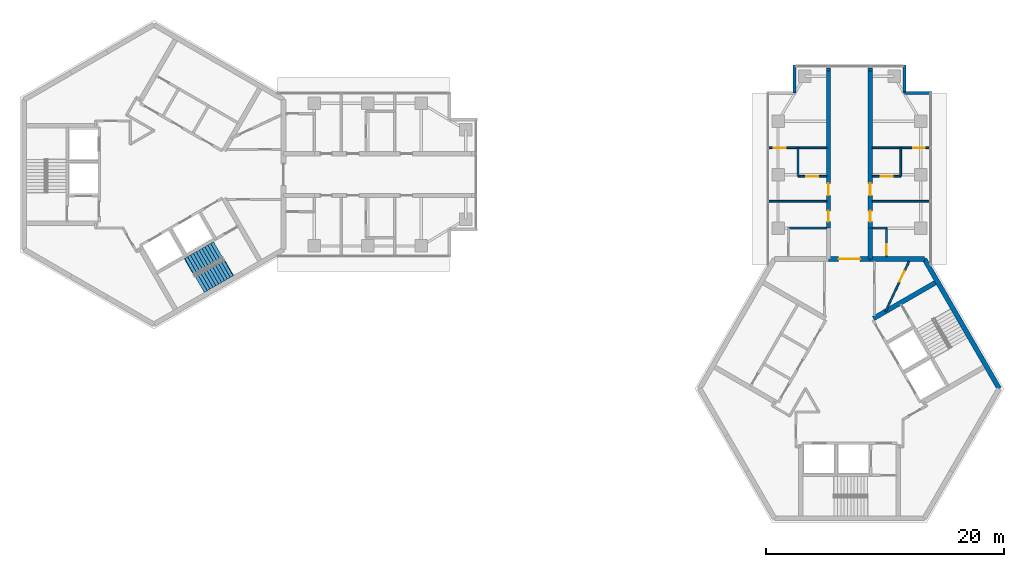
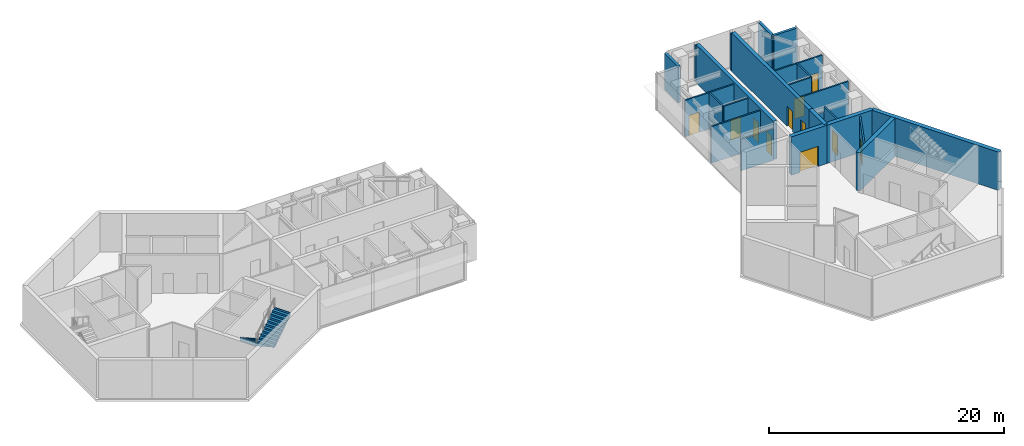
# One storey, part 9 of 11: 24 walls, 11 doors, 2 stair flights, 11 openings, 1 element without a shape of its own.
"""IFC4 building model written with IfcOpenShell, lengths in metres."""

from ifc_helpers import new_model, si_unit, direction, frame, frame_2d, origin, place, context, subcontext, project, spatial, polyline, rectangle, outline, extrude, material, layer, layer_set, type_object, element, fill, aggregate, save


model = new_model("IFC4")

# Units and contexts
model_context = context("Model", 3, precision=1e-05, world=origin(), true_north=direction((0.0, 1.0)))
body_context = subcontext(model_context, "Body", "Model", "MODEL_VIEW")
ifc_project = project(units=[si_unit("LENGTHUNIT", "METRE"), si_unit("AREAUNIT", "SQUARE_METRE"), si_unit("VOLUMEUNIT", "CUBIC_METRE"), si_unit("PLANEANGLEUNIT", "RADIAN"), si_unit("MASSUNIT", "GRAM", prefix="KILO")], contexts=[model_context])

# Site, building, storey
site_placement = place(None, origin())
site = spatial("IfcSite", under=ifc_project, at=site_placement, CompositionType="ELEMENT")
building_placement = place(site_placement, origin())
building = spatial("IfcBuilding", under=site, at=building_placement, Name="Upepo Twin Towers", CompositionType="ELEMENT")
storey_placement = place(building_placement, frame((0.0, 0.0, 259.5)))
storey = spatial("IfcBuildingStorey", under=building, at=storey_placement, Name="L63", CompositionType="ELEMENT", Elevation=259.5)

# Walls
ifc_material_1 = material(Name="Dense concrete blockwork", Category="masonry")
ifc_layer_1 = layer(ifc_material_1, 0.35009765625)
ifc_layer_set_1 = layer_set([ifc_layer_1], Name="Buttress closer 350, blockwork with fire-stopping to the curtain wall")
wall_type_1 = type_object("IfcWallType", Name="Buttress closer 350, blockwork with fire-stopping to the curtain wall", PredefinedType="PARTITIONING", material=ifc_layer_set_1)
for number, where, z_axis, x_axis, name in (
    (1, (56.75, 8.699951171875, 0.0), (0.0, 0.0, 1.0), (0.0, 1.0, 0.0), "T2 L63 wing A buttress closer L"),
    (2, (60.25, 8.699951171875, 0.0), (0.0, 0.0, 1.0), (0.0, 1.0, 0.0), "T2 L63 wing A buttress closer R"),
):
    element("IfcWall", number, at=place(storey_placement, frame(where, z_axis=z_axis, x_axis=x_axis)), inside=storey, type_object=wall_type_1, Name=name, PredefinedType="PARTITIONING", context=body_context, shape_type="SweptSolid", body=[
        extrude(rectangle(XDim=0.275146484375, YDim=0.35009765625, at=frame_2d((0.1376953125, 0.0))), origin(), (0.0, 0.0, 1.0), 3.800048828125),
    ])

# Wall, openings, doors
ifc_material_2 = material(Name="Concrete C60/75", Category="concrete")
ifc_layer_2 = layer(ifc_material_2, 0.35009765625)
ifc_layer_set_2 = layer_set([ifc_layer_2], Name="Concrete C60/75")
wall_type_2 = type_object("IfcWallType", Name="Buttress wall 350 RC", PredefinedType="SHEAR", material=ifc_layer_set_2)
wall_1_placement = place(storey_placement, frame((56.75, -4.5, 0.0), z_axis=(0.0, 0.0, 1.0), x_axis=(0.0, 1.0, 0.0)))
wall_1 = element("IfcWall", 3, at=wall_1_placement, inside=storey, type_object=wall_type_2, Name="T2 wing A buttress wall L part 2", PredefinedType="SHEAR", context=body_context, shape_type="SweptSolid", body=[
    extrude(rectangle(XDim=13.199951171875, YDim=0.35009765625, at=frame_2d((6.60009765625, 0.0))), origin(), (0.0, 0.0, 1.0), 4.0),
])
opening_1_placement = place(wall_1_placement, frame((0.550048828125, 0.0, 0.0)))
opening_1 = element("IfcOpeningElement", 4, at=opening_1_placement, cuts=wall_1, Name="Opening D11", PredefinedType="OPENING", context=body_context, shape_type="SweptSolid", body=[
    extrude(rectangle(XDim=0.89990234375, YDim=2.10009765625, at=frame_2d((0.449951171875, 1.050048828125))), frame((0.0, 0.18505859375, 0.0), z_axis=(0.0, -1.0, 0.0), x_axis=(1.0, 0.0, 0.0)), (0.0, 0.0, 1.0), 0.3701171875),
])
opening_2_placement = place(wall_1_placement, frame((2.75, 0.0, 0.0)))
opening_2 = element("IfcOpeningElement", 5, at=opening_2_placement, cuts=wall_1, Name="Opening D1", PredefinedType="OPENING", context=body_context, shape_type="SweptSolid", body=[
    extrude(rectangle(XDim=1.0, YDim=2.10009765625, at=frame_2d((0.5, 1.050048828125))), frame((0.0, 0.18505859375, 0.0), z_axis=(0.0, -1.0, 0.0), x_axis=(1.0, 0.0, 0.0)), (0.0, 0.0, 1.0), 0.3701171875),
])
ifc_material_3 = material(Name="Timber doorset", Category="wood")
door_type_1 = type_object("IfcDoorType", Name="Room door 1000 FD30", OperationType="SINGLE_SWING_LEFT", PredefinedType="DOOR", material=ifc_material_3)
door_1_placement = place(opening_2_placement, origin())
door_1 = element("IfcDoor", 6, at=door_1_placement, inside=storey, type_object=door_type_1, Name="T2 L63 tutorial room door", OperationType="SINGLE_SWING_LEFT", OverallHeight=2.10009765625, OverallWidth=1.0, PredefinedType="DOOR", context=body_context, shape_type="SweptSolid", body=[
    extrude(rectangle(XDim=1.0, YDim=2.10009765625, at=frame_2d((0.5, 1.050048828125))), frame((0.0, 0.02490234375, 0.0), z_axis=(0.0, -1.0, 0.0), x_axis=(1.0, 0.0, 0.0)), (0.0, 0.0, 1.0), 0.050048828125),
])
fill(opening_2, door_1)
ifc_material_4 = material(Name="Timber doorset", Category="wood")
door_type_2 = type_object("IfcDoorType", Name="Toilet door 900", OperationType="SINGLE_SWING_LEFT", PredefinedType="DOOR", material=ifc_material_4)
door_2_placement = place(opening_1_placement, origin())
door_2 = element("IfcDoor", 7, at=door_2_placement, inside=storey, type_object=door_type_2, Name="T2 L63 accessible wc door", OperationType="SINGLE_SWING_LEFT", OverallHeight=2.10009765625, OverallWidth=0.89990234375, PredefinedType="DOOR", context=body_context, shape_type="SweptSolid", body=[
    extrude(rectangle(XDim=0.89990234375, YDim=2.10009765625, at=frame_2d((0.449951171875, 1.050048828125))), frame((0.0, 0.02490234375, 0.0), z_axis=(0.0, -1.0, 0.0), x_axis=(1.0, 0.0, 0.0)), (0.0, 0.0, 1.0), 0.050048828125),
])
fill(opening_1, door_2)

# Wall
wall_2_placement = place(storey_placement, frame((60.25, -7.091552734375, 0.0), z_axis=(0.0, 0.0, 1.0), x_axis=(0.0, 1.0, 0.0)))
element("IfcWall", 8, at=wall_2_placement, inside=storey, type_object=wall_type_2, Name="T2 wing A buttress wall R", PredefinedType="SHEAR", context=body_context, shape_type="SweptSolid", body=[
    extrude(rectangle(XDim=2.591552734375, YDim=0.35009765625, at=frame_2d((1.2958984375, 0.0))), origin(), (0.0, 0.0, 1.0), 4.0),
])

# Wall, openings, doors
wall_3_placement = place(storey_placement, frame((60.25, -4.5, 0.0), z_axis=(0.0, 0.0, 1.0), x_axis=(0.0, 1.0, 0.0)))
wall_3 = element("IfcWall", 9, at=wall_3_placement, inside=storey, type_object=wall_type_2, Name="T2 wing A buttress wall R part 2", PredefinedType="SHEAR", context=body_context, shape_type="SweptSolid", body=[
    extrude(rectangle(XDim=13.199951171875, YDim=0.35009765625, at=frame_2d((6.60009765625, 0.0))), origin(), (0.0, 0.0, 1.0), 4.0),
])
opening_3_placement = place(wall_3_placement, frame((0.550048828125, 0.0, 0.0)))
opening_3 = element("IfcOpeningElement", 10, at=opening_3_placement, cuts=wall_3, Name="Opening D11", PredefinedType="OPENING", context=body_context, shape_type="SweptSolid", body=[
    extrude(rectangle(XDim=0.89990234375, YDim=2.10009765625, at=frame_2d((0.449951171875, 1.050048828125))), frame((0.0, 0.18505859375, 0.0), z_axis=(0.0, -1.0, 0.0), x_axis=(1.0, 0.0, 0.0)), (0.0, 0.0, 1.0), 0.3701171875),
])
opening_4_placement = place(wall_3_placement, frame((2.75, 0.0, 0.0)))
opening_4 = element("IfcOpeningElement", 11, at=opening_4_placement, cuts=wall_3, Name="Opening D1", PredefinedType="OPENING", context=body_context, shape_type="SweptSolid", body=[
    extrude(rectangle(XDim=1.0, YDim=2.10009765625, at=frame_2d((0.5, 1.050048828125))), frame((0.0, 0.18505859375, 0.0), z_axis=(0.0, -1.0, 0.0), x_axis=(1.0, 0.0, 0.0)), (0.0, 0.0, 1.0), 0.3701171875),
])
door_3_placement = place(opening_4_placement, origin())
door_3 = element("IfcDoor", 12, at=door_3_placement, inside=storey, type_object=door_type_1, Name="T2 L63 seminar room door", OperationType="SINGLE_SWING_LEFT", OverallHeight=2.10009765625, OverallWidth=1.0, PredefinedType="DOOR", context=body_context, shape_type="SweptSolid", body=[
    extrude(rectangle(XDim=1.0, YDim=2.10009765625, at=frame_2d((0.5, 1.050048828125))), frame((0.0, 0.02490234375, 0.0), z_axis=(0.0, -1.0, 0.0), x_axis=(1.0, 0.0, 0.0)), (0.0, 0.0, 1.0), 0.050048828125),
])
fill(opening_4, door_3)
door_4_placement = place(opening_3_placement, origin())
door_4 = element("IfcDoor", 13, at=door_4_placement, inside=storey, type_object=door_type_2, Name="T2 L63 toilets door", OperationType="SINGLE_SWING_LEFT", OverallHeight=2.10009765625, OverallWidth=0.89990234375, PredefinedType="DOOR", context=body_context, shape_type="SweptSolid", body=[
    extrude(rectangle(XDim=0.89990234375, YDim=2.10009765625, at=frame_2d((0.449951171875, 1.050048828125))), frame((0.0, 0.02490234375, 0.0), z_axis=(0.0, -1.0, 0.0), x_axis=(1.0, 0.0, 0.0)), (0.0, 0.0, 1.0), 0.050048828125),
])
fill(opening_3, door_4)

# Wall
ifc_material_5 = material(Name="Concrete C60/75", Category="concrete")
ifc_layer_3 = layer(ifc_material_5, 0.39990234375)
ifc_layer_set_3 = layer_set([ifc_layer_3], Name="Concrete C60/75")
wall_type_3 = type_object("IfcWallType", Name="Core wall 400 RC", PredefinedType="SHEAR", material=ifc_layer_set_3)
wall_4_placement = place(storey_placement, frame((64.7978515625, -7.091552734375, 0.0), z_axis=(0.0, 0.0, 1.0), x_axis=(-1.0, 0.0, 0.0)))
element("IfcWall", 14, at=wall_4_placement, inside=storey, type_object=wall_type_3, Name="T2 core wall 000 R", PredefinedType="SHEAR", context=body_context, shape_type="SweptSolid", body=[
    extrude(rectangle(XDim=4.5478515625, YDim=0.39990234375, at=frame_2d((2.27392578125, 0.0))), origin(), (0.0, 0.0, 1.0), 4.0),
])

# Wall, opening, door
wall_5_placement = place(storey_placement, frame((60.25, -7.091552734375, 0.0), z_axis=(0.0, 0.0, 1.0), x_axis=(-1.0, 0.0, 0.0)))
wall_5 = element("IfcWall", 15, at=wall_5_placement, inside=storey, type_object=wall_type_3, Name="T2 core wall 000", PredefinedType="SHEAR", context=body_context, shape_type="SweptSolid", body=[
    extrude(rectangle(XDim=3.5, YDim=0.39990234375, at=frame_2d((1.75, 0.0))), origin(), (0.0, 0.0, 1.0), 4.0),
])
opening_5_placement = place(wall_5_placement, frame((0.85009765625, 0.0, 0.0)))
opening_5 = element("IfcOpeningElement", 16, at=opening_5_placement, cuts=wall_5, Name="Opening D2", PredefinedType="OPENING", context=body_context, shape_type="SweptSolid", body=[
    extrude(rectangle(XDim=1.800048828125, YDim=2.10009765625, at=frame_2d((0.89990234375, 1.050048828125))), frame((0.0, 0.2099609375, 0.0), z_axis=(0.0, -1.0, 0.0), x_axis=(1.0, 0.0, 0.0)), (0.0, 0.0, 1.0), 0.419921875),
])
ifc_material_6 = material(Name="Timber doorset", Category="wood")
door_type_3 = type_object("IfcDoorType", Name="Corridor double door 1800 FD60", OperationType="DOUBLE_DOOR_DOUBLE_SWING", PredefinedType="DOOR", material=ifc_material_6)
door_5_placement = place(opening_5_placement, origin())
door_5 = element("IfcDoor", 17, at=door_5_placement, inside=storey, type_object=door_type_3, Name="T2 L63 wing A corridor door", OperationType="DOUBLE_DOOR_DOUBLE_SWING", OverallHeight=2.10009765625, OverallWidth=1.800048828125, PredefinedType="DOOR", context=body_context, shape_type="SweptSolid", body=[
    extrude(rectangle(XDim=1.800048828125, YDim=2.10009765625, at=frame_2d((0.89990234375, 1.050048828125))), frame((0.0, 0.02490234375, 0.0), z_axis=(0.0, -1.0, 0.0), x_axis=(1.0, 0.0, 0.0)), (0.0, 0.0, 1.0), 0.050048828125),
])
fill(opening_5, door_5)

# Walls
wall_6_placement = place(storey_placement, frame((71.095947265625, -18.0, 0.0), z_axis=(0.0, 0.0, 1.0), x_axis=(-0.500005998175, 0.866021940709, 0.0)))
element("IfcWall", 18, at=wall_6_placement, inside=storey, type_object=wall_type_3, Name="T2 core wall 300", PredefinedType="SHEAR", context=body_context, shape_type="SweptSolid", body=[
    extrude(rectangle(XDim=12.595947265625, YDim=0.39990234375, at=frame_2d((6.2978515625, 0.0))), origin(), (0.0, 0.0, 1.0), 4.0),
])
ifc_material_7 = material(Name="Blockwork with anodised aluminium cladding", Category="masonry")
ifc_layer_4 = layer(ifc_material_7, 0.25)
ifc_layer_set_4 = layer_set([ifc_layer_4], Name="Notch cladding wall 250, pale metal")
wall_type_4 = type_object("IfcWallType", Name="Notch cladding wall 250, pale metal", PredefinedType="STANDARD", material=ifc_layer_set_4)
for number, where, z_axis, x_axis, name in (
    (19, (53.875, 6.875, 0.0), (0.0, 0.0, 1.0), (0.0, 1.0, 0.0), "T2 L63 wing A notch wall L2"),
    (20, (65.449951171875, 6.875, 0.0), (0.0, 0.0, 1.0), (-1.0, 0.0, 0.0), "T2 L63 wing A notch wall R1"),
    (21, (63.125, 6.875, 0.0), (0.0, 0.0, 1.0), (0.0, 1.0, 0.0), "T2 L63 wing A notch wall R2"),
):
    element("IfcWall", number, at=place(storey_placement, frame(where, z_axis=z_axis, x_axis=x_axis)), inside=storey, type_object=wall_type_4, Name=name, PredefinedType="STANDARD", context=body_context, shape_type="SweptSolid", body=[
        extrude(rectangle(XDim=2.324951171875, YDim=0.25, at=frame_2d((1.16259765625, 0.0))), origin(), (0.0, 0.0, 1.0), 3.800048828125),
    ])
ifc_material_8 = material(Name="Concrete C40/50", Category="concrete")
ifc_layer_5 = layer(ifc_material_8, 0.39990234375)
ifc_layer_set_5 = layer_set([ifc_layer_5], Name="Concrete C40/50")
wall_type_5 = type_object("IfcWallType", Name="Shaft wall 400 RC", PredefinedType="SHEAR", material=ifc_layer_set_5)
wall_7_placement = place(storey_placement, frame((60.520263671875, -12.099365234375, 0.0), z_axis=(0.0, 0.0, 1.0), x_axis=(0.866026570101, 0.499997979876, 0.0)))
element("IfcWall", 22, at=wall_7_placement, inside=storey, type_object=wall_type_5, Name="T2 core W300 side wall N", PredefinedType="SHEAR", context=body_context, shape_type="SweptSolid", body=[
    extrude(rectangle(XDim=6.00830078125, YDim=0.39990234375, at=frame_2d((3.004150390625, 0.0))), origin(), (0.0, 0.0, 1.0), 4.0),
])
ifc_material_9 = material(Name="Gypsum board on steel studs", Category="steel")
ifc_layer_6 = layer(ifc_material_9, 0.14990234375)
ifc_layer_set_6 = layer_set([ifc_layer_6], Name="Teaching partition 150 acoustic")
wall_type_6 = type_object("IfcWallType", Name="Teaching partition 150 acoustic", PredefinedType="PARTITIONING", material=ifc_layer_set_6)
wall_8_placement = place(storey_placement, frame((56.574951171875, -2.25, 0.0), z_axis=(0.0, 0.0, 1.0), x_axis=(-1.0, 0.0, 0.0)))
element("IfcWall", 23, at=wall_8_placement, inside=storey, type_object=wall_type_6, Name="T2 partition AL at 15.75", PredefinedType="PARTITIONING", context=body_context, shape_type="SweptSolid", body=[
    extrude(rectangle(XDim=4.824951171875, YDim=0.14990234375, at=frame_2d((2.41259765625, 0.0))), origin(), (0.0, 0.0, 1.0), 3.800048828125),
])

# Wall, opening, door
wall_9_placement = place(storey_placement, frame((56.574951171875, 2.25, 0.0), z_axis=(0.0, 0.0, 1.0), x_axis=(-1.0, 0.0, 0.0)))
wall_9 = element("IfcWall", 24, at=wall_9_placement, inside=storey, type_object=wall_type_6, Name="T2 partition AL at 20.25", PredefinedType="PARTITIONING", context=body_context, shape_type="SweptSolid", body=[
    extrude(rectangle(XDim=4.824951171875, YDim=0.14990234375, at=frame_2d((2.41259765625, 0.0))), origin(), (0.0, 0.0, 1.0), 3.800048828125),
])
opening_6_placement = place(wall_9_placement, frame((3.425048828125, 0.0, 0.0)))
opening_6 = element("IfcOpeningElement", 25, at=opening_6_placement, cuts=wall_9, Name="Opening D1", PredefinedType="OPENING", context=body_context, shape_type="SweptSolid", body=[
    extrude(rectangle(XDim=1.0, YDim=2.10009765625, at=frame_2d((0.5, 1.050048828125))), frame((0.0, 0.0849609375, 0.0), z_axis=(0.0, -1.0, 0.0), x_axis=(1.0, 0.0, 0.0)), (0.0, 0.0, 1.0), 0.169921875),
])
door_6_placement = place(opening_6_placement, origin())
door_6 = element("IfcDoor", 26, at=door_6_placement, inside=storey, type_object=door_type_1, Name="T2 L63 connecting door", OperationType="SINGLE_SWING_RIGHT", OverallHeight=2.10009765625, OverallWidth=1.0, PredefinedType="DOOR", context=body_context, shape_type="SweptSolid", body=[
    extrude(rectangle(XDim=1.0, YDim=2.10009765625, at=frame_2d((0.5, 1.050048828125))), frame((0.0, 0.02490234375, 0.0), z_axis=(0.0, -1.0, 0.0), x_axis=(1.0, 0.0, 0.0)), (0.0, 0.0, 1.0), 0.050048828125),
])
fill(opening_6, door_6)

# Wall
wall_10_placement = place(storey_placement, frame((54.175048828125, -0.14990234375, 0.0), z_axis=(0.0, 0.0, 1.0), x_axis=(0.0, 1.0, 0.0)))
element("IfcWall", 27, at=wall_10_placement, inside=storey, type_object=wall_type_6, Name="T2 inner room partition AL at 17.85", PredefinedType="PARTITIONING", context=body_context, shape_type="SweptSolid", body=[
    extrude(rectangle(XDim=2.39990234375, YDim=0.14990234375, at=frame_2d((1.199951171875, 0.0))), origin(), (0.0, 0.0, 1.0), 3.800048828125),
])

# Wall, opening, door
wall_11_placement = place(storey_placement, frame((56.574951171875, -0.14990234375, 0.0), z_axis=(0.0, 0.0, 1.0), x_axis=(-1.0, 0.0, 0.0)))
wall_11 = element("IfcWall", 28, at=wall_11_placement, inside=storey, type_object=wall_type_6, Name="T2 inner room partition AL end at 17.85", PredefinedType="PARTITIONING", context=body_context, shape_type="SweptSolid", body=[
    extrude(rectangle(XDim=2.39990234375, YDim=0.14990234375, at=frame_2d((1.199951171875, 0.0))), origin(), (0.0, 0.0, 1.0), 3.800048828125),
])
opening_7_placement = place(wall_11_placement, frame((0.699951171875, 0.0, 0.0)))
opening_7 = element("IfcOpeningElement", 29, at=opening_7_placement, cuts=wall_11, Name="Opening D1", PredefinedType="OPENING", context=body_context, shape_type="SweptSolid", body=[
    extrude(rectangle(XDim=1.0, YDim=2.10009765625, at=frame_2d((0.5, 1.050048828125))), frame((0.0, 0.0849609375, 0.0), z_axis=(0.0, -1.0, 0.0), x_axis=(1.0, 0.0, 0.0)), (0.0, 0.0, 1.0), 0.169921875),
])
door_7_placement = place(opening_7_placement, origin())
door_7 = element("IfcDoor", 30, at=door_7_placement, inside=storey, type_object=door_type_1, Name="T2 L63 inner room door", OperationType="SINGLE_SWING_LEFT", OverallHeight=2.10009765625, OverallWidth=1.0, PredefinedType="DOOR", context=body_context, shape_type="SweptSolid", body=[
    extrude(rectangle(XDim=1.0, YDim=2.10009765625, at=frame_2d((0.5, 1.050048828125))), frame((0.0, 0.02490234375, 0.0), z_axis=(0.0, -1.0, 0.0), x_axis=(1.0, 0.0, 0.0)), (0.0, 0.0, 1.0), 0.050048828125),
])
fill(opening_7, door_7)

# Walls
wall_12_placement = place(storey_placement, frame((56.574951171875, -4.491943359375, 0.0), z_axis=(0.0, 0.0, 1.0), x_axis=(-1.0, 0.0, 0.0)))
element("IfcWall", 31, at=wall_12_placement, inside=storey, type_object=wall_type_6, Name="T2 WC bay partition AL end at 13.51", PredefinedType="PARTITIONING", context=body_context, shape_type="SweptSolid", body=[
    extrude(rectangle(XDim=3.199951171875, YDim=0.14990234375, at=frame_2d((1.60009765625, 0.0))), origin(), (0.0, 0.0, 1.0), 3.266845703125),
])
wall_13_placement = place(storey_placement, frame((60.425048828125, -2.25, 0.0), z_axis=(0.0, 0.0, 1.0), x_axis=(1.0, 0.0, 0.0)))
element("IfcWall", 32, at=wall_13_placement, inside=storey, type_object=wall_type_6, Name="T2 partition AR at 15.75", PredefinedType="PARTITIONING", context=body_context, shape_type="SweptSolid", body=[
    extrude(rectangle(XDim=4.824951171875, YDim=0.14990234375, at=frame_2d((2.41259765625, 0.0))), origin(), (0.0, 0.0, 1.0), 3.800048828125),
])

# Wall, opening, door
wall_14_placement = place(storey_placement, frame((60.425048828125, 2.25, 0.0), z_axis=(0.0, 0.0, 1.0), x_axis=(1.0, 0.0, 0.0)))
wall_14 = element("IfcWall", 33, at=wall_14_placement, inside=storey, type_object=wall_type_6, Name="T2 partition AR at 20.25", PredefinedType="PARTITIONING", context=body_context, shape_type="SweptSolid", body=[
    extrude(rectangle(XDim=4.824951171875, YDim=0.14990234375, at=frame_2d((2.41259765625, 0.0))), origin(), (0.0, 0.0, 1.0), 3.800048828125),
])
opening_8_placement = place(wall_14_placement, frame((3.425048828125, 0.0, 0.0)))
opening_8 = element("IfcOpeningElement", 34, at=opening_8_placement, cuts=wall_14, Name="Opening D1", PredefinedType="OPENING", context=body_context, shape_type="SweptSolid", body=[
    extrude(rectangle(XDim=1.0, YDim=2.10009765625, at=frame_2d((0.5, 1.050048828125))), frame((0.0, 0.0849609375, 0.0), z_axis=(0.0, -1.0, 0.0), x_axis=(1.0, 0.0, 0.0)), (0.0, 0.0, 1.0), 0.169921875),
])
door_8_placement = place(opening_8_placement, origin())
door_8 = element("IfcDoor", 35, at=door_8_placement, inside=storey, type_object=door_type_1, Name="T2 L63 connecting door", OperationType="SINGLE_SWING_RIGHT", OverallHeight=2.10009765625, OverallWidth=1.0, PredefinedType="DOOR", context=body_context, shape_type="SweptSolid", body=[
    extrude(rectangle(XDim=1.0, YDim=2.10009765625, at=frame_2d((0.5, 1.050048828125))), frame((0.0, 0.02490234375, 0.0), z_axis=(0.0, -1.0, 0.0), x_axis=(1.0, 0.0, 0.0)), (0.0, 0.0, 1.0), 0.050048828125),
])
fill(opening_8, door_8)

# Wall
wall_15_placement = place(storey_placement, frame((62.824951171875, -0.14990234375, 0.0), z_axis=(0.0, 0.0, 1.0), x_axis=(0.0, 1.0, 0.0)))
element("IfcWall", 36, at=wall_15_placement, inside=storey, type_object=wall_type_6, Name="T2 inner room partition AR at 17.85", PredefinedType="PARTITIONING", context=body_context, shape_type="SweptSolid", body=[
    extrude(rectangle(XDim=2.39990234375, YDim=0.14990234375, at=frame_2d((1.199951171875, 0.0))), origin(), (0.0, 0.0, 1.0), 3.800048828125),
])

# Wall, opening, door
wall_16_placement = place(storey_placement, frame((60.425048828125, -0.14990234375, 0.0), z_axis=(0.0, 0.0, 1.0), x_axis=(1.0, 0.0, 0.0)))
wall_16 = element("IfcWall", 37, at=wall_16_placement, inside=storey, type_object=wall_type_6, Name="T2 inner room partition AR end at 17.85", PredefinedType="PARTITIONING", context=body_context, shape_type="SweptSolid", body=[
    extrude(rectangle(XDim=2.39990234375, YDim=0.14990234375, at=frame_2d((1.199951171875, 0.0))), origin(), (0.0, 0.0, 1.0), 3.800048828125),
])
opening_9_placement = place(wall_16_placement, frame((0.699951171875, 0.0, 0.0)))
opening_9 = element("IfcOpeningElement", 38, at=opening_9_placement, cuts=wall_16, Name="Opening D1", PredefinedType="OPENING", context=body_context, shape_type="SweptSolid", body=[
    extrude(rectangle(XDim=1.0, YDim=2.10009765625, at=frame_2d((0.5, 1.050048828125))), frame((0.0, 0.0849609375, 0.0), z_axis=(0.0, -1.0, 0.0), x_axis=(1.0, 0.0, 0.0)), (0.0, 0.0, 1.0), 0.169921875),
])
door_9_placement = place(opening_9_placement, origin())
door_9 = element("IfcDoor", 39, at=door_9_placement, inside=storey, type_object=door_type_1, Name="T2 L63 inner room door", OperationType="SINGLE_SWING_LEFT", OverallHeight=2.10009765625, OverallWidth=1.0, PredefinedType="DOOR", context=body_context, shape_type="SweptSolid", body=[
    extrude(rectangle(XDim=1.0, YDim=2.10009765625, at=frame_2d((0.5, 1.050048828125))), frame((0.0, 0.02490234375, 0.0), z_axis=(0.0, -1.0, 0.0), x_axis=(1.0, 0.0, 0.0)), (0.0, 0.0, 1.0), 0.050048828125),
])
fill(opening_9, door_9)

wall_17_placement = place(storey_placement, frame((61.625, -6.89208984375, 0.0), z_axis=(0.0, 0.0, 1.0), x_axis=(0.0, 1.0, 0.0)))
wall_17 = element("IfcWall", 40, at=wall_17_placement, inside=storey, type_object=wall_type_6, Name="T2 WC bay partition AR at 11.11", PredefinedType="PARTITIONING", context=body_context, shape_type="SweptSolid", body=[
    extrude(rectangle(XDim=2.400146484375, YDim=0.14990234375, at=frame_2d((1.2001953125, 0.0))), origin(), (0.0, 0.0, 1.0), 3.800048828125),
])
opening_10_placement = place(wall_17_placement, frame((0.14990234375, 0.0, 0.0)))
opening_10 = element("IfcOpeningElement", 41, at=opening_10_placement, cuts=wall_17, Name="Opening D14", PredefinedType="OPENING", context=body_context, shape_type="SweptSolid", body=[
    extrude(rectangle(XDim=0.89990234375, YDim=2.10009765625, at=frame_2d((0.449951171875, 1.050048828125))), frame((0.0, 0.0849609375, 0.0), z_axis=(0.0, -1.0, 0.0), x_axis=(1.0, 0.0, 0.0)), (0.0, 0.0, 1.0), 0.169921875),
])
ifc_material_10 = material(Name="Timber doorset", Category="wood")
door_type_4 = type_object("IfcDoorType", Name="Office door 900 FD30", OperationType="SINGLE_SWING_LEFT", PredefinedType="DOOR", material=ifc_material_10)
door_10_placement = place(opening_10_placement, origin())
door_10 = element("IfcDoor", 42, at=door_10_placement, inside=storey, type_object=door_type_4, Name="T2 L63 WC bay inner room door", OperationType="SINGLE_SWING_LEFT", OverallHeight=2.10009765625, OverallWidth=0.89990234375, PredefinedType="DOOR", context=body_context, shape_type="SweptSolid", body=[
    extrude(rectangle(XDim=0.89990234375, YDim=2.10009765625, at=frame_2d((0.449951171875, 1.050048828125))), frame((0.0, 0.02490234375, 0.0), z_axis=(0.0, -1.0, 0.0), x_axis=(1.0, 0.0, 0.0)), (0.0, 0.0, 1.0), 0.050048828125),
])
fill(opening_10, door_10)

# Wall
wall_18_placement = place(storey_placement, frame((60.425048828125, -4.491943359375, 0.0), z_axis=(0.0, 0.0, 1.0), x_axis=(1.0, 0.0, 0.0)))
element("IfcWall", 43, at=wall_18_placement, inside=storey, type_object=wall_type_6, Name="T2 WC bay partition AR end at 13.51", PredefinedType="PARTITIONING", context=body_context, shape_type="SweptSolid", body=[
    extrude(rectangle(XDim=1.199951171875, YDim=0.14990234375, at=frame_2d((0.60009765625, 0.0))), origin(), (0.0, 0.0, 1.0), 3.266845703125),
])

# Wall, opening, door
wall_19_placement = place(storey_placement, frame((61.539794921875, -11.5107421875, 0.0), z_axis=(0.0, 0.0, 1.0), x_axis=(0.424198910408, 0.905569039007, 0.0)))
wall_19 = element("IfcWall", 44, at=wall_19_placement, inside=storey, type_object=wall_type_6, Name="T2 core room partition 14", PredefinedType="PARTITIONING", context=body_context, shape_type="SweptSolid", body=[
    extrude(rectangle(XDim=4.658935546875, YDim=0.14990234375, at=frame_2d((2.32958984375, 0.0))), origin(), (0.0, 0.0, 1.0), 3.800048828125),
])
opening_11_placement = place(wall_19_placement, frame((2.76123046875, 0.0, 0.0)))
opening_11 = element("IfcOpeningElement", 45, at=opening_11_placement, cuts=wall_19, Name="Opening D1", PredefinedType="OPENING", context=body_context, shape_type="SweptSolid", body=[
    extrude(rectangle(XDim=1.0, YDim=2.10009765625, at=frame_2d((0.5, 1.050048828125))), frame((0.0, 0.0849609375, 0.0), z_axis=(0.0, -1.0, 0.0), x_axis=(1.0, 0.0, 0.0)), (0.0, 0.0, 1.0), 0.169921875),
])
door_11_placement = place(opening_11_placement, origin())
door_11 = element("IfcDoor", 46, at=door_11_placement, inside=storey, type_object=door_type_1, Name="T2 L63 core room door K4", OperationType="SINGLE_SWING_RIGHT", OverallHeight=2.10009765625, OverallWidth=1.0, PredefinedType="DOOR", context=body_context, shape_type="SweptSolid", body=[
    extrude(rectangle(XDim=1.0, YDim=2.10009765625, at=frame_2d((0.5, 1.050048828125))), frame((0.0, 0.02490234375, 0.0), z_axis=(0.0, -1.0, 0.0), x_axis=(1.0, 0.0, 0.0)), (0.0, 0.0, 1.0), 0.050048828125),
])
fill(opening_11, door_11)

# Stair, stair flights
ifc_material_11 = material(Name="Concrete C40/50", Category="concrete")
stair_type = type_object("IfcStairType", Name="Core stair, two flights", PredefinedType="HALF_TURN_STAIR", material=ifc_material_11)
stair_placement = place(storey_placement, origin())
stair = element("IfcStair", 47, at=stair_placement, inside=storey, type_object=stair_type, Name="T1 stair S2 L63", PredefinedType="HALF_TURN_STAIR")
ifc_material_12 = material(Name="Concrete C40/50", Category="concrete")
stair_flight_type = type_object("IfcStairFlightType", Name="Stair flight 1600 RC", PredefinedType="STRAIGHT", material=ifc_material_12)
stair_flight_1_placement = place(storey_placement, frame((5.416259765625, -6.34130859375, 0.0), z_axis=(0.0, 0.0, 1.0), x_axis=(-0.866025403784, -0.5, 0.0)))
stair_flight_1 = element("IfcStairFlight", 48, at=stair_flight_1_placement, type_object=stair_flight_type, Name="Stair S2 flight 1", NumberOfRisers=11, NumberOfTreads=10, PredefinedType="STRAIGHT", RiserHeight=0.181818182, TreadLength=0.28, context=body_context, shape_type="SweptSolid", body=[
    extrude(outline(polyline([(0.0, 0.0), (0.0, 0.181884765625), (0.280029296875, 0.181884765625), (0.280029296875, 0.363525390625), (0.56005859375, 0.363525390625), (0.56005859375, 0.54541015625), (0.840087890625, 0.54541015625), (0.840087890625, 0.727294921875), (1.1201171875, 0.727294921875), (1.1201171875, 0.9091796875), (1.39990234375, 0.9091796875), (1.39990234375, 1.0908203125), (1.679931640625, 1.0908203125), (1.679931640625, 1.272705078125), (1.9599609375, 1.272705078125), (1.9599609375, 1.45458984375), (2.239990234375, 1.45458984375), (2.239990234375, 1.636474609375), (2.52001953125, 1.636474609375), (2.52001953125, 1.818115234375), (2.800048828125, 1.818115234375), (2.800048828125, 2.0), (2.85009765625, 2.0), (2.85009765625, 1.639404296875), (0.3251953125, 0.0), (0.0, 0.0)])), frame((0.0, 0.800048828125, 0.0), z_axis=(0.0, -1.0, 0.0), x_axis=(1.0, 0.0, 0.0)), (0.0, 0.0, 1.0), 1.60009765625),
])
stair_flight_2_placement = place(storey_placement, frame((3.845703125, -9.220947265625, 2.0), z_axis=(0.0, 0.0, 1.0), x_axis=(0.866025403784, 0.5, 0.0)))
stair_flight_2 = element("IfcStairFlight", 49, at=stair_flight_2_placement, type_object=stair_flight_type, Name="Stair S2 flight 2", NumberOfRisers=11, NumberOfTreads=10, PredefinedType="STRAIGHT", RiserHeight=0.181818182, TreadLength=0.28, context=body_context, shape_type="SweptSolid", body=[
    extrude(outline(polyline([(0.0, 0.0), (0.0, 0.181884765625), (0.280029296875, 0.181884765625), (0.280029296875, 0.363525390625), (0.56005859375, 0.363525390625), (0.56005859375, 0.54541015625), (0.840087890625, 0.54541015625), (0.840087890625, 0.727294921875), (1.1201171875, 0.727294921875), (1.1201171875, 0.9091796875), (1.39990234375, 0.9091796875), (1.39990234375, 1.0908203125), (1.679931640625, 1.0908203125), (1.679931640625, 1.272705078125), (1.9599609375, 1.272705078125), (1.9599609375, 1.45458984375), (2.239990234375, 1.45458984375), (2.239990234375, 1.636474609375), (2.52001953125, 1.636474609375), (2.52001953125, 1.818115234375), (2.800048828125, 1.818115234375), (2.800048828125, 2.0), (2.85009765625, 2.0), (2.85009765625, 1.639404296875), (0.3251953125, 0.0), (0.0, 0.0)])), frame((0.0, 0.800048828125, 0.0), z_axis=(0.0, -1.0, 0.0), x_axis=(1.0, 0.0, 0.0)), (0.0, 0.0, 1.0), 1.60009765625),
])
aggregate(stair, [stair_flight_1, stair_flight_2])

save(model, "model.ifc")
